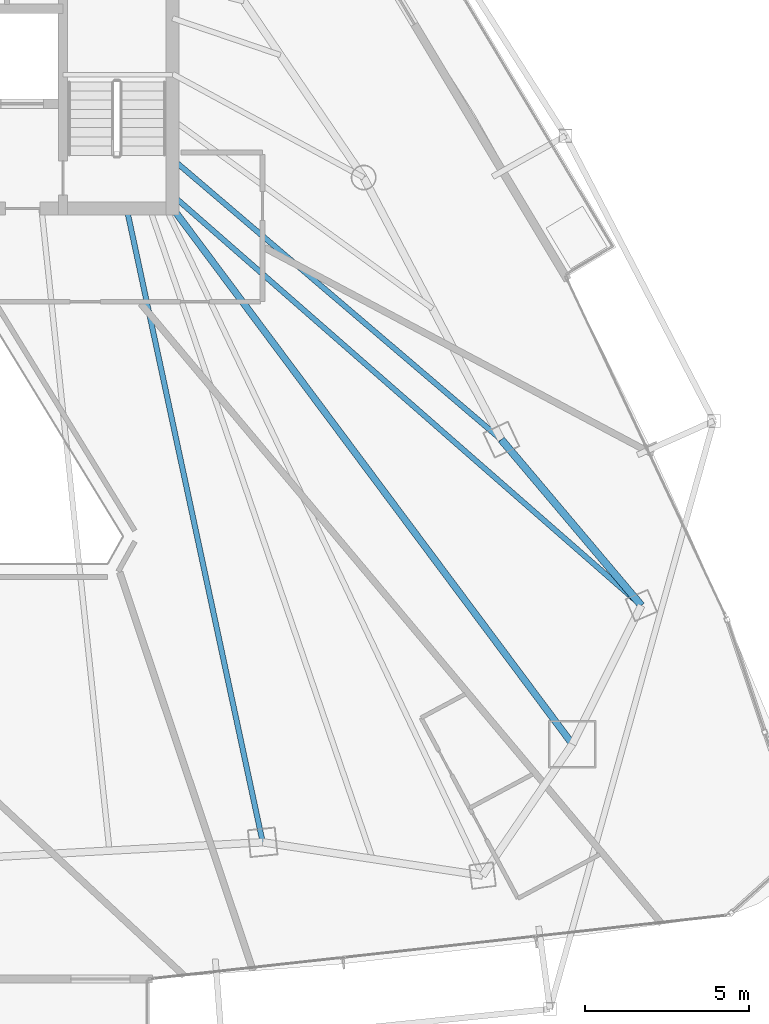
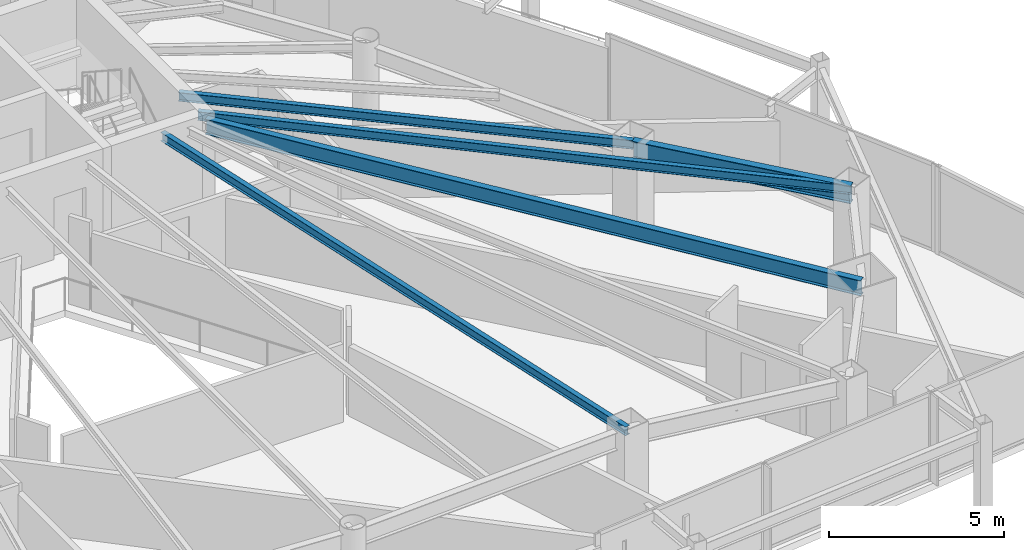
# One storey, part 16 of 31: 5 beams.
"""IFC4 building model written with IfcOpenShell, lengths in metres."""

import ifcopenshell
import ifcopenshell.guid

model = None  # the IFC model being written
_history = None  # IfcOwnerHistory: only IFC2X3 demands one
_inside = {}  # id of a spatial element -> (the spatial element, [elements in it])
_under = {}  # id of a project, library or spatial element -> (it, [spatial elements below it])
_declared = {}  # id of a project -> (the project, [libraries it declares])
_typed = {}  # id of a type object -> (the type object, [elements of that type])
_made_of = {}  # id of a material, layer set ... -> (it, [elements and type objects made of it])


def new_model(schema):
    """Start an empty IFC model of exactly this schema.

    Asked for "IFC4X3", IfcOpenShell would pick the latest addendum, in which some entities
    have other attributes; the version numbers below select the first issue.
    IFC2X3 requires an IfcOwnerHistory on every rooted entity: one is made here for all.
    """
    global model, _history
    if schema == "IFC4X3":
        model = ifcopenshell.file(schema_version=(4, 3, 0, 0))
    else:
        model = ifcopenshell.file(schema=schema)
    _inside.clear()
    _under.clear()
    _declared.clear()
    _typed.clear()
    _made_of.clear()
    _history = None
    if model.schema == "IFC2X3":
        org = make("IfcOrganization", Name="unknown")
        user = make(
            "IfcPersonAndOrganization",
            ThePerson=make("IfcPerson", FamilyName="unknown"),
            TheOrganization=org,
        )
        app = make(
            "IfcApplication",
            ApplicationDeveloper=org,
            Version="unknown",
            ApplicationFullName="unknown",
            ApplicationIdentifier="unknown",
        )
        _history = make(
            "IfcOwnerHistory",
            OwningUser=user,
            OwningApplication=app,
            ChangeAction="ADDED",
            CreationDate=0,
        )
    return model


def make(cls, **values):
    """One entity of the class cls with the attributes given. An attribute that is None is left unset."""
    return model.create_entity(
        cls, **{name: value for name, value in values.items() if value is not None}
    )


def rooted(cls, **values):
    """An entity with a GlobalId (a new one), such as an element, a storey or a relation."""
    return make(cls, GlobalId=ifcopenshell.guid.new(), OwnerHistory=_history, **values)


def si_unit(unit_type, name, prefix=None):
    """IfcSIUnit, for example si_unit("LENGTHUNIT", "METRE", prefix="MILLI")."""
    return make("IfcSIUnit", UnitType=unit_type, Prefix=prefix, Name=name)


def assignment(units):
    """IfcUnitAssignment: the units of a project."""
    return None if units is None else make("IfcUnitAssignment", Units=units)


def point(xyz):
    """IfcCartesianPoint."""
    return None if xyz is None else make("IfcCartesianPoint", Coordinates=xyz)


def direction(xyz):
    """IfcDirection."""
    return None if xyz is None else make("IfcDirection", DirectionRatios=xyz)


def frame(location, z_axis=None, x_axis=None):
    """IfcAxis2Placement3D, a coordinate frame: its origin and axes. An axis left out is left unset."""
    return make(
        "IfcAxis2Placement3D",
        Location=point(location),
        Axis=direction(z_axis),
        RefDirection=direction(x_axis),
    )


def frame_2d(location, x_axis=None):
    """IfcAxis2Placement2D, a coordinate frame in the plane: its origin and x axis."""
    return make(
        "IfcAxis2Placement2D", Location=point(location), RefDirection=direction(x_axis)
    )


def origin():
    """The frame at (0, 0, 0) with its axes left unset."""
    return frame((0.0, 0.0, 0.0))


def origin_2d():
    """The frame at (0, 0) in the plane with its x axis left unset."""
    return frame_2d((0.0, 0.0))


def place(relative_to, where):
    """IfcLocalPlacement: puts the frame where relative to a parent placement (None: the world)."""
    return make(
        "IfcLocalPlacement", PlacementRelTo=relative_to, RelativePlacement=where
    )


def context(
    kind, dimensions, precision=None, world=None, true_north=None, identifier=None
):
    """IfcGeometricRepresentationContext, for example the 3D "Model" context."""
    return make(
        "IfcGeometricRepresentationContext",
        ContextIdentifier=identifier,
        ContextType=kind,
        CoordinateSpaceDimension=dimensions,
        Precision=precision,
        WorldCoordinateSystem=world,
        TrueNorth=true_north,
    )


def subcontext(parent, identifier, kind, view, scale=None):
    """IfcGeometricRepresentationSubContext, for example "Body" below "Model"."""
    return make(
        "IfcGeometricRepresentationSubContext",
        ContextIdentifier=identifier,
        ContextType=kind,
        ParentContext=parent,
        TargetScale=scale,
        TargetView=view,
    )


def project(units=None, contexts=None):
    """IfcProject with its units and contexts."""
    return rooted(
        "IfcProject",
        Name="project",
        RepresentationContexts=contexts,
        UnitsInContext=assignment(units),
    )


def spatial(cls, under=None, at=None, **own):
    """A site, building, storey or space (cls), placed at a placement, below another one or the project."""
    s = rooted(cls, ObjectPlacement=at, **own)
    if under is not None:
        _under.setdefault(under.id(), (under, []))[1].append(s)
    return s


def profile(cls, at=None, kind="AREA", **sizes):
    """A parametric profile (cls). Its sizes go by their IFC names, for example OverallWidth=200.0."""
    return make(cls, ProfileType=kind, Position=at, **sizes)


def i_section(**sizes):
    """IfcIShapeProfileDef."""
    return profile("IfcIShapeProfileDef", **sizes)


def extrude(swept, where, along, depth):
    """IfcExtrudedAreaSolid: the profile swept, set in the frame where, extruded along a direction by depth."""
    return make(
        "IfcExtrudedAreaSolid",
        SweptArea=swept,
        Position=where,
        ExtrudedDirection=direction(along),
        Depth=depth,
    )


def shape(context_of_items, identifier, shape_type, items):
    """IfcShapeRepresentation: the items that make up one representation, for example the "Body"."""
    return make(
        "IfcShapeRepresentation",
        ContextOfItems=context_of_items,
        RepresentationIdentifier=identifier,
        RepresentationType=shape_type,
        Items=items,
    )


def material(Name=None, Category=None):
    """IfcMaterial."""
    return make("IfcMaterial", Name=Name, Category=Category)


def material_profile(
    of_material, cross_section, Name=None, Category=None, Priority=None
):
    """IfcMaterialProfile: a cross section and its material."""
    return make(
        "IfcMaterialProfile",
        Name=Name,
        Material=of_material,
        Profile=cross_section,
        Priority=Priority,
        Category=Category,
    )


def profile_set(profiles, Name=None, composite=None):
    """IfcMaterialProfileSet."""
    return make(
        "IfcMaterialProfileSet",
        Name=Name,
        MaterialProfiles=profiles,
        CompositeProfile=composite,
    )


def made_of(thing, what):
    """Note that an element or type object is made of a material, layer set ...; save() writes the relation."""
    if what is not None:
        _made_of.setdefault(what.id(), (what, []))[1].append(thing)
    return thing


def type_object(cls, material=None, **own):
    """A type object (cls), such as IfcWallType, which elements share."""
    return made_of(rooted(cls, **own), material)


def element(
    cls,
    number,
    at=None,
    inside=None,
    cuts=None,
    type_object=None,
    material=None,
    context=None,
    identifier="Body",
    shape_type=None,
    held_by="IfcProductDefinitionShape",
    body=None,
    shapes=None,
    **own,
):
    """One element of the class cls, such as IfcWall. Its Tag is "e" and its number.

    at: its placement. inside: the storey or other place that contains it. cuts: it is an
    opening in that element (IfcRelVoidsElement). A single representation is given by context,
    identifier, shape_type and body (its items); several are given by shapes. held_by: the class
    of the entity that holds the representations. save() writes the other relations.
    """
    e = rooted(cls, Tag="e%d" % number, ObjectPlacement=at, **own)
    if body is not None:
        shapes = [shape(context, identifier, shape_type, body)]
    if shapes is not None:
        e.Representation = make(held_by, Representations=shapes)
    if inside is not None:
        _inside.setdefault(inside.id(), (inside, []))[1].append(e)
    if cuts is not None:
        rooted(
            "IfcRelVoidsElement", RelatingBuildingElement=cuts, RelatedOpeningElement=e
        )
    if type_object is not None:
        _typed.setdefault(type_object.id(), (type_object, []))[1].append(e)
    return made_of(e, material)


def aggregate(whole, parts):
    """IfcRelAggregates: a whole, such as a stair, and the parts it consists of."""
    return rooted("IfcRelAggregates", RelatingObject=whole, RelatedObjects=parts)


def save(model, path):
    """Write the relations noted so far, then the file.

    IfcRelAggregates (storeys below a building ...), IfcRelContainedInSpatialStructure (elements
    in a storey), IfcRelDefinesByType, IfcRelAssociatesMaterial and IfcRelDeclares: one each for
    every whole, place, type object, material and project.
    """
    for whole, parts in _under.values():
        aggregate(whole, parts)
    for where, things in _inside.values():
        rooted(
            "IfcRelContainedInSpatialStructure",
            RelatedElements=things,
            RelatingStructure=where,
        )
    for kind, things in _typed.values():
        rooted("IfcRelDefinesByType", RelatedObjects=things, RelatingType=kind)
    for what, things in _made_of.values():
        rooted("IfcRelAssociatesMaterial", RelatedObjects=things, RelatingMaterial=what)
    for by, libraries in _declared.values():
        rooted("IfcRelDeclares", RelatingContext=by, RelatedDefinitions=libraries)
    model.write(path)


model = new_model("IFC4")

# Units and contexts
model_context = context("Model", 3, precision=1e-05, world=origin(), true_north=direction((0.0, 1.0)))
body_context = subcontext(model_context, "Body", "Model", "MODEL_VIEW")
ifc_project = project(units=[si_unit("LENGTHUNIT", "METRE"), si_unit("AREAUNIT", "SQUARE_METRE"), si_unit("VOLUMEUNIT", "CUBIC_METRE"), si_unit("PLANEANGLEUNIT", "RADIAN"), si_unit("MASSUNIT", "GRAM", prefix="KILO")], contexts=[model_context])

# Site, building, storey
site_placement = place(None, origin())
site = spatial("IfcSite", under=ifc_project, at=site_placement, CompositionType="ELEMENT")
building_placement = place(site_placement, origin())
building = spatial("IfcBuilding", under=site, at=building_placement, Name="Orvanel Arch Residences", CompositionType="ELEMENT")
storey_placement = place(building_placement, frame((0.0, 0.0, 129.800048828125)))
storey = spatial("IfcBuildingStorey", under=building, at=storey_placement, Name="L36", CompositionType="ELEMENT", Elevation=129.800048828125)

# Beams
ifc_material = material(Name="Structural steel AS/NZS 3679.1 Grade 300 (300 MPa)", Category="steel")
ifc_material_profile_1 = material_profile(ifc_material, i_section(OverallWidth=0.208984375, OverallDepth=0.532958984375, WebThickness=0.01025390625, FlangeThickness=0.015625, at=origin_2d()), Name="530UB92.4")
ifc_profile_set_1 = profile_set([ifc_material_profile_1], Name="Structural steel AS/NZS 3679.1 Grade 300 (300 MPa)")
beam_type_1 = type_object("IfcBeamType", Name="BG-530UB", PredefinedType="BEAM", material=ifc_profile_set_1)
beam_1_placement = place(storey_placement, frame((39.625, 26.675048828125, 2.7939453125), z_axis=(0.597893733742, -0.801575375839, 0.0), x_axis=(0.801575375839, 0.597893733742, 0.0)))
element("IfcBeam", 1, at=beam_1_placement, inside=storey, type_object=beam_type_1, Name="L36 South-East Radial Girder", PredefinedType="BEAM", context=body_context, shape_type="SweptSolid", body=[
    extrude(i_section(OverallWidth=0.208984375, OverallDepth=0.532958984375, WebThickness=0.01025390625, FlangeThickness=0.015625, at=origin_2d()), origin(), (0.0, 0.0, 1.0), 20.36474609375),
])
ifc_material_profile_2 = material_profile(ifc_material, i_section(OverallWidth=0.1650390625, OverallDepth=0.303955078125, WebThickness=0.006103515625, FlangeThickness=0.01025390625, at=origin_2d()), Name="310UB40.4")
ifc_profile_set_2 = profile_set([ifc_material_profile_2], Name="Structural steel AS/NZS 3679.1 Grade 300 (300 MPa)")
beam_type_2 = type_object("IfcBeamType", Name="BJ-310UB", PredefinedType="JOIST", material=ifc_profile_set_2)
beam_2_placement = place(storey_placement, frame((39.60009765625, 28.199951171875, 2.907958984375), z_axis=(0.760821315761, -0.648961420644, 0.0), x_axis=(0.648961420644, 0.760821315761, 0.0)))
element("IfcBeam", 2, at=beam_2_placement, inside=storey, type_object=beam_type_2, Name="L36 E Wing Floor Joist", PredefinedType="JOIST", context=body_context, shape_type="SweptSolid", body=[
    extrude(i_section(OverallWidth=0.1650390625, OverallDepth=0.303955078125, WebThickness=0.006103515625, FlangeThickness=0.01025390625, at=origin_2d()), origin(), (0.0, 0.0, 1.0), 13.18701171875),
])
beam_3_placement = place(storey_placement, frame((38.199951171875, 26.699951171875, 2.907958984375), z_axis=(0.209808012425, -0.977742603103, 0.0), x_axis=(0.977742603103, 0.209808012425, 0.0)))
element("IfcBeam", 3, at=beam_3_placement, inside=storey, type_object=beam_type_2, Name="L36 SE Wing Floor Joist", PredefinedType="JOIST", context=body_context, shape_type="SweptSolid", body=[
    extrude(i_section(OverallWidth=0.1650390625, OverallDepth=0.303955078125, WebThickness=0.006103515625, FlangeThickness=0.01025390625, at=origin_2d()), origin(), (0.0, 0.0, 1.0), 19.785400390625),
])
beam_4_placement = place(storey_placement, frame((39.60009765625, 27.10009765625, 2.907958984375), z_axis=(0.752493154183, -0.658600070534, 0.0), x_axis=(0.658600070534, 0.752493154183, 0.0)))
element("IfcBeam", 4, at=beam_4_placement, inside=storey, type_object=beam_type_2, Name="L36 ME Wing Floor Joist", PredefinedType="JOIST", context=body_context, shape_type="SweptSolid", body=[
    extrude(i_section(OverallWidth=0.1650390625, OverallDepth=0.303955078125, WebThickness=0.006103515625, FlangeThickness=0.01025390625, at=origin_2d()), origin(), (0.0, 0.0, 1.0), 19.010009765625),
])
ifc_material_profile_3 = material_profile(ifc_material, i_section(OverallWidth=0.22900390625, OverallDepth=0.612060546875, WebThickness=0.011962890625, FlangeThickness=0.01953125, at=origin_2d()), Name="610UB125")
ifc_profile_set_3 = profile_set([ifc_material_profile_3], Name="Structural steel AS/NZS 3679.1 Grade 300 (300 MPa)")
beam_type_3 = type_object("IfcBeamType", Name="SP-610UB", PredefinedType="SPANDREL", material=ifc_profile_set_3)
beam_5_placement = place(storey_placement, frame((53.905029296875, 14.580078125, 2.75390625), z_axis=(-0.644950329775, 0.764224490659, 0.0), x_axis=(-0.764224490659, -0.644950329775, 0.0)))
element("IfcBeam", 5, at=beam_5_placement, inside=storey, type_object=beam_type_3, Name="L36 Perimeter Spandrel Beam 10", PredefinedType="SPANDREL", context=body_context, shape_type="SweptSolid", body=[
    extrude(i_section(OverallWidth=0.22900390625, OverallDepth=0.612060546875, WebThickness=0.011962890625, FlangeThickness=0.01953125, at=origin_2d()), origin(), (0.0, 0.0, 1.0), 6.623779296875),
])

save(model, "model.ifc")
